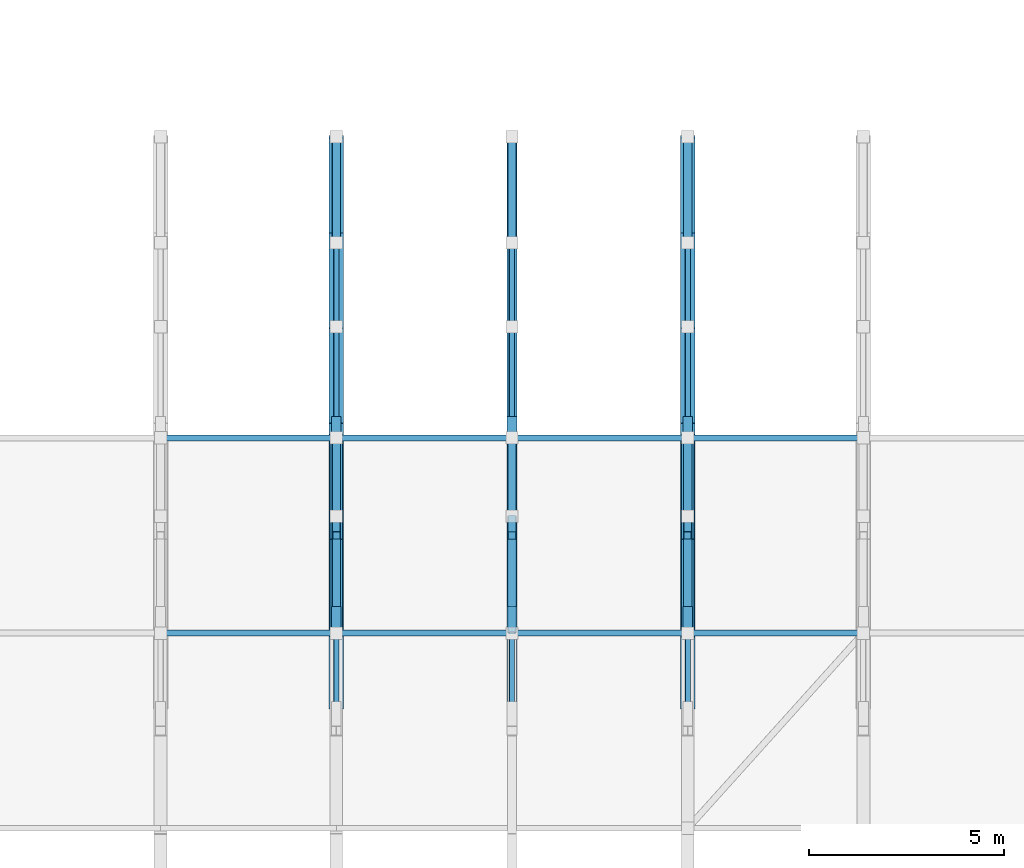
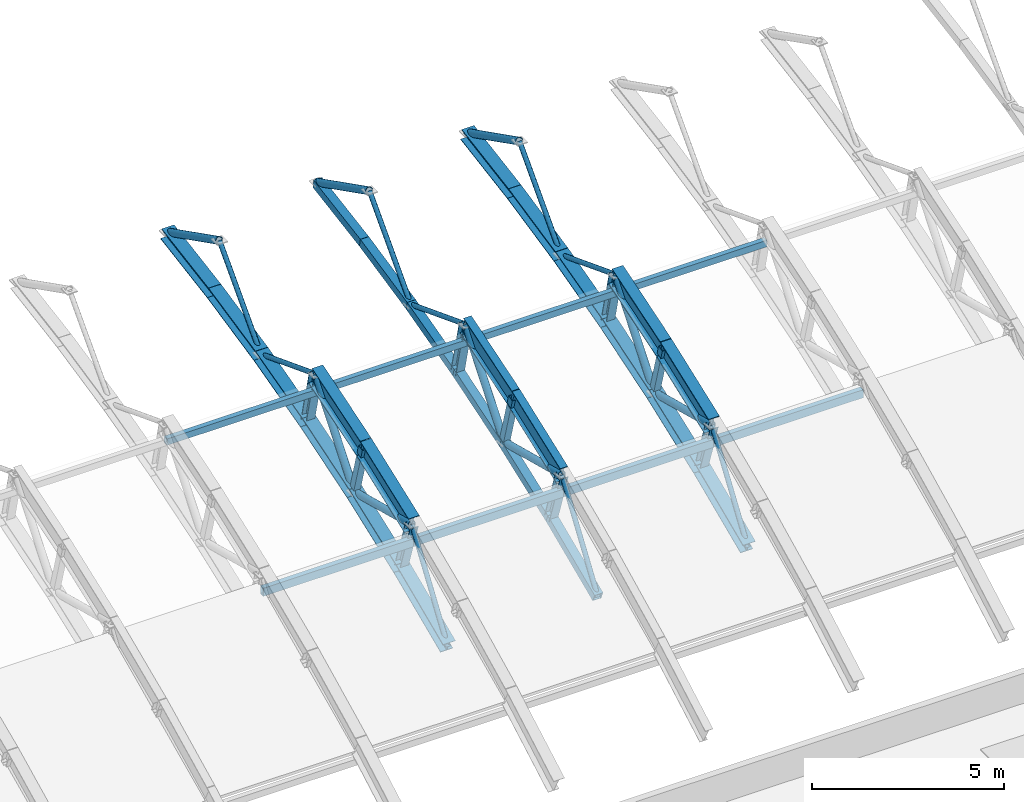
# One storey, part 65 of 103: 53 members, 6 beams.
"""IFC4 building model written with IfcOpenShell, lengths in metres."""

from ifc_helpers import new_model, si_unit, direction, frame, origin, origin_2d, place, context, subcontext, project, spatial, hollow_rectangle, hollow_circle, i_section, extrude, material, material_profile, profile_set, type_object, element, save


model = new_model("IFC4")

# Units and contexts
model_context = context("Model", 3, precision=1e-05, world=origin(), true_north=direction((0.0, 1.0)))
body_context = subcontext(model_context, "Body", "Model", "MODEL_VIEW")
ifc_project = project(units=[si_unit("LENGTHUNIT", "METRE"), si_unit("AREAUNIT", "SQUARE_METRE"), si_unit("VOLUMEUNIT", "CUBIC_METRE"), si_unit("PLANEANGLEUNIT", "RADIAN"), si_unit("MASSUNIT", "GRAM", prefix="KILO")], contexts=[model_context])

# Site, building, storey
site_placement = place(None, origin())
site = spatial("IfcSite", under=ifc_project, at=site_placement, CompositionType="ELEMENT")
building_placement = place(site_placement, origin())
building = spatial("IfcBuilding", under=site, at=building_placement, Name="Cazmaro Siding Exhibition Halls", CompositionType="ELEMENT")
storey_placement = place(building_placement, frame((0.0, 0.0, 16.5)))
storey = spatial("IfcBuildingStorey", under=building, at=storey_placement, Name="L03", CompositionType="ELEMENT", Elevation=16.5)

# Beams
ifc_material_1 = material(Name="Steel ASTM A992 Grade 50", Category="steel")
ifc_material_profile_1 = material_profile(ifc_material_1, i_section(OverallWidth=0.327880859375, OverallDepth=0.626953125, WebThickness=0.01708984375, FlangeThickness=0.028076171875, at=origin_2d()), Name="W24X146")
ifc_profile_set_1 = profile_set([ifc_material_profile_1], Name="Steel ASTM A992 Grade 50")
beam_type_1 = type_object("IfcBeamType", Name="AR-01", PredefinedType="USERDEFINED", material=ifc_profile_set_1)
beam_1_placement = place(storey_placement, frame((139.5, 74.0, 3.1220703125), z_axis=(0.0, 0.936509460339, 0.350642311615), x_axis=(-1.0, 0.0, 0.0)))
element("IfcBeam", 1, at=beam_1_placement, inside=storey, type_object=beam_type_1, Name="Space frame barrel vault arched rib AR-01 BM-1043", ObjectType="ARCHED RIB", PredefinedType="USERDEFINED", context=body_context, shape_type="SweptSolid", body=[
    extrude(i_section(OverallWidth=0.327880859375, OverallDepth=0.626953125, WebThickness=0.01708984375, FlangeThickness=0.028076171875, at=origin_2d()), origin(), (0.0, 0.0, 1.0), 2.66943359375),
])
beam_2_placement = place(storey_placement, frame((139.5, 76.5, 4.05810546875), z_axis=(0.0, 0.952769241759, 0.303695195811), x_axis=(-1.0, 0.0, 0.0)))
element("IfcBeam", 2, at=beam_2_placement, inside=storey, type_object=beam_type_1, Name="Space frame barrel vault arched rib AR-01 BM-1044", ObjectType="ARCHED RIB", PredefinedType="USERDEFINED", context=body_context, shape_type="SweptSolid", body=[
    extrude(i_section(OverallWidth=0.327880859375, OverallDepth=0.626953125, WebThickness=0.01708984375, FlangeThickness=0.028076171875, at=origin_2d()), origin(), (0.0, 0.0, 1.0), 2.6240234375),
])
ifc_material_2 = material(Name="Steel ASTM A992 Grade 50", Category="steel")
ifc_material_profile_2 = material_profile(ifc_material_2, i_section(OverallWidth=0.324951171875, OverallDepth=0.612060546875, WebThickness=0.012939453125, FlangeThickness=0.01904296875, at=origin_2d()), Name="W24X104")
ifc_profile_set_2 = profile_set([ifc_material_profile_2], Name="Steel ASTM A992 Grade 50")
beam_type_2 = type_object("IfcBeamType", Name="AR-02", PredefinedType="USERDEFINED", material=ifc_profile_set_2)
beam_3_placement = place(storey_placement, frame((130.5, 74.0, 3.1220703125), z_axis=(0.0, 0.936509460339, 0.350642311615), x_axis=(-1.0, 0.0, 0.0)))
element("IfcBeam", 3, at=beam_3_placement, inside=storey, type_object=beam_type_2, Name="Space frame barrel vault arched rib AR-02 BM-0995", ObjectType="ARCHED RIB", PredefinedType="USERDEFINED", context=body_context, shape_type="SweptSolid", body=[
    extrude(i_section(OverallWidth=0.324951171875, OverallDepth=0.612060546875, WebThickness=0.012939453125, FlangeThickness=0.01904296875, at=origin_2d()), origin(), (0.0, 0.0, 1.0), 2.66943359375),
])
beam_4_placement = place(storey_placement, frame((130.5, 76.5, 4.05810546875), z_axis=(0.0, 0.952769241759, 0.303695195811), x_axis=(-1.0, 0.0, 0.0)))
element("IfcBeam", 4, at=beam_4_placement, inside=storey, type_object=beam_type_2, Name="Space frame barrel vault arched rib AR-02 BM-0996", ObjectType="ARCHED RIB", PredefinedType="USERDEFINED", context=body_context, shape_type="SweptSolid", body=[
    extrude(i_section(OverallWidth=0.324951171875, OverallDepth=0.612060546875, WebThickness=0.012939453125, FlangeThickness=0.01904296875, at=origin_2d()), origin(), (0.0, 0.0, 1.0), 2.6240234375),
])
ifc_material_3 = material(Name="Steel ASTM A992 Grade 50", Category="steel")
ifc_material_profile_3 = material_profile(ifc_material_3, i_section(OverallWidth=0.22900390625, OverallDepth=0.612060546875, WebThickness=0.011962890625, FlangeThickness=0.02001953125, at=origin_2d()), Name="W24X84")
ifc_profile_set_3 = profile_set([ifc_material_profile_3], Name="Steel ASTM A992 Grade 50")
beam_type_3 = type_object("IfcBeamType", Name="AR-03", PredefinedType="USERDEFINED", material=ifc_profile_set_3)
beam_5_placement = place(storey_placement, frame((135.0, 74.0, 3.1220703125), z_axis=(0.0, 0.936509460339, 0.350642311615), x_axis=(-1.0, 0.0, 0.0)))
element("IfcBeam", 5, at=beam_5_placement, inside=storey, type_object=beam_type_3, Name="Space frame barrel vault arched rib AR-03 BM-1019", ObjectType="ARCHED RIB", PredefinedType="USERDEFINED", context=body_context, shape_type="SweptSolid", body=[
    extrude(i_section(OverallWidth=0.22900390625, OverallDepth=0.612060546875, WebThickness=0.011962890625, FlangeThickness=0.02001953125, at=origin_2d()), origin(), (0.0, 0.0, 1.0), 2.66943359375),
])
beam_6_placement = place(storey_placement, frame((135.0, 76.5, 4.05810546875), z_axis=(0.0, 0.952769241759, 0.303695195811), x_axis=(-1.0, 0.0, 0.0)))
element("IfcBeam", 6, at=beam_6_placement, inside=storey, type_object=beam_type_3, Name="Space frame barrel vault arched rib AR-03 BM-1020", ObjectType="ARCHED RIB", PredefinedType="USERDEFINED", context=body_context, shape_type="SweptSolid", body=[
    extrude(i_section(OverallWidth=0.22900390625, OverallDepth=0.612060546875, WebThickness=0.011962890625, FlangeThickness=0.02001953125, at=origin_2d()), origin(), (0.0, 0.0, 1.0), 2.6240234375),
])

# Members
ifc_material_4 = material(Name="Steel ASTM A500 Grade C", Category="steel")
ifc_material_profile_4 = material_profile(ifc_material_4, hollow_rectangle(XDim=0.152099609375, YDim=0.202880859375, WallThickness=0.011962890625, at=origin_2d()), Name="HSS8X6X1/2")
ifc_profile_set_4 = profile_set([ifc_material_profile_4], Name="Steel ASTM A500 Grade C")
member_type_1 = type_object("IfcMemberType", Name="RP-01", PredefinedType="PURLIN", material=ifc_profile_set_4)
for number, where, z_axis, x_axis, name in (
    (7, (126.0, 79.0, 4.31494140625), (1.0, 0.0, 0.0), (0.0, 1.0, 0.0), "Space frame barrel vault purlin RP-01 MEM-2182"),
    (8, (130.5, 79.0, 4.31494140625), (1.0, 0.0, 0.0), (0.0, 1.0, 0.0), "Space frame barrel vault purlin RP-01 MEM-2193"),
    (9, (135.0, 79.0, 4.31494140625), (1.0, 0.0, 0.0), (0.0, 1.0, 0.0), "Space frame barrel vault purlin RP-01 MEM-2204"),
    (10, (139.5, 79.0, 4.31494140625), (1.0, 0.0, 0.0), (0.0, 1.0, 0.0), "Space frame barrel vault purlin RP-01 MEM-2215"),
):
    element("IfcMember", number, at=place(storey_placement, frame(where, z_axis=z_axis, x_axis=x_axis)), inside=storey, type_object=member_type_1, Name=name, PredefinedType="PURLIN", context=body_context, shape_type="SweptSolid", body=[
        extrude(hollow_rectangle(XDim=0.152099609375, YDim=0.202880859375, WallThickness=0.011962890625, at=origin_2d()), origin(), (0.0, 0.0, 1.0), 4.5),
    ])
ifc_material_5 = material(Name="Steel ASTM A500 Grade C", Category="steel")
ifc_material_profile_5 = material_profile(ifc_material_5, hollow_rectangle(XDim=0.152099609375, YDim=0.25390625, WallThickness=0.011962890625, at=origin_2d()), Name="HSS10X6X1/2")
ifc_profile_set_5 = profile_set([ifc_material_profile_5], Name="Steel ASTM A500 Grade C")
member_type_2 = type_object("IfcMemberType", Name="RP-04", PredefinedType="PURLIN", material=ifc_profile_set_5)
for number, where, z_axis, x_axis, name in (
    (11, (126.0, 74.0, 2.58203125), (1.0, 0.0, 0.0), (0.0, 1.0, 0.0), "Space frame barrel vault purlin RP-04 MEM-2181"),
    (12, (130.5, 74.0, 2.58203125), (1.0, 0.0, 0.0), (0.0, 1.0, 0.0), "Space frame barrel vault purlin RP-04 MEM-2192"),
    (13, (135.0, 74.0, 2.58203125), (1.0, 0.0, 0.0), (0.0, 1.0, 0.0), "Space frame barrel vault purlin RP-04 MEM-2203"),
    (14, (139.5, 74.0, 2.58203125), (1.0, 0.0, 0.0), (0.0, 1.0, 0.0), "Space frame barrel vault purlin RP-04 MEM-2214"),
):
    element("IfcMember", number, at=place(storey_placement, frame(where, z_axis=z_axis, x_axis=x_axis)), inside=storey, type_object=member_type_2, Name=name, PredefinedType="PURLIN", context=body_context, shape_type="SweptSolid", body=[
        extrude(hollow_rectangle(XDim=0.152099609375, YDim=0.25390625, WallThickness=0.011962890625, at=origin_2d()), origin(), (0.0, 0.0, 1.0), 4.5),
    ])
ifc_material_6 = material(Name="Steel ASTM A500 Grade C", Category="steel")
ifc_material_profile_6 = material_profile(ifc_material_6, hollow_rectangle(XDim=0.25390625, YDim=0.25390625, WallThickness=0.014892578125, at=origin_2d()), Name="HSS10X10X5/8")
ifc_profile_set_6 = profile_set([ifc_material_profile_6], Name="Steel ASTM A500 Grade C")
member_type_3 = type_object("IfcMemberType", Name="TC-01", PredefinedType="CHORD", material=ifc_profile_set_6)
member_1_placement = place(storey_placement, frame((135.0, 72.131103515625, 0.37890625), z_axis=(0.0, 0.917689003843, 0.397299499403), x_axis=(-1.0, 0.0, 0.0)))
element("IfcMember", 15, at=member_1_placement, inside=storey, type_object=member_type_3, Name="Space frame barrel vault bottom chord TC-01 MEM-1379", PredefinedType="CHORD", context=body_context, shape_type="SweptSolid", body=[
    extrude(hollow_rectangle(XDim=0.25390625, YDim=0.25390625, WallThickness=0.014892578125, at=origin_2d()), origin(), (0.0, 0.0, 1.0), 2.64794921875),
])
member_2_placement = place(storey_placement, frame((135.0, 74.56103515625, 1.430908203125), z_axis=(0.0, 0.936588022869, 0.350432412053), x_axis=(-1.0, 0.0, 0.0)))
element("IfcMember", 16, at=member_2_placement, inside=storey, type_object=member_type_3, Name="Space frame barrel vault bottom chord TC-01 MEM-1381", PredefinedType="CHORD", context=body_context, shape_type="SweptSolid", body=[
    extrude(hollow_rectangle(XDim=0.25390625, YDim=0.25390625, WallThickness=0.014892578125, at=origin_2d()), origin(), (0.0, 0.0, 1.0), 2.594482421875),
])
member_3_placement = place(storey_placement, frame((135.0, 76.990966796875, 2.340087890625), z_axis=(0.0, 0.952692842525, 0.303934775573), x_axis=(-1.0, 0.0, 0.0)))
element("IfcMember", 17, at=member_3_placement, inside=storey, type_object=member_type_3, Name="Space frame barrel vault bottom chord TC-01 MEM-1383", PredefinedType="CHORD", context=body_context, shape_type="SweptSolid", body=[
    extrude(hollow_rectangle(XDim=0.25390625, YDim=0.25390625, WallThickness=0.014892578125, at=origin_2d()), origin(), (0.0, 0.0, 1.0), 2.549560546875),
])
member_4_placement = place(storey_placement, frame((135.0, 79.419921875, 3.114990234375), z_axis=(0.0, 0.966437683387, 0.256901156343), x_axis=(-1.0, 0.0, 0.0)))
element("IfcMember", 18, at=member_4_placement, inside=storey, type_object=member_type_3, Name="Space frame barrel vault bottom chord TC-01 MEM-1385", PredefinedType="CHORD", context=body_context, shape_type="SweptSolid", body=[
    extrude(hollow_rectangle(XDim=0.25390625, YDim=0.25390625, WallThickness=0.014892578125, at=origin_2d()), origin(), (0.0, 0.0, 1.0), 2.5146484375),
])
member_5_placement = place(storey_placement, frame((135.0, 81.85009765625, 3.760986328125), z_axis=(0.0, 0.977697351532, 0.210018782033), x_axis=(-1.0, 0.0, 0.0)))
element("IfcMember", 19, at=member_5_placement, inside=storey, type_object=member_type_3, Name="Space frame barrel vault bottom chord TC-01 MEM-1387", PredefinedType="CHORD", context=body_context, shape_type="SweptSolid", body=[
    extrude(hollow_rectangle(XDim=0.25390625, YDim=0.25390625, WallThickness=0.014892578125, at=origin_2d()), origin(), (0.0, 0.0, 1.0), 2.4853515625),
])
member_6_placement = place(storey_placement, frame((135.0, 84.280029296875, 4.282958984375), z_axis=(0.0, 0.986455464336, 0.164029317138), x_axis=(-1.0, 0.0, 0.0)))
element("IfcMember", 20, at=member_6_placement, inside=storey, type_object=member_type_3, Name="Space frame barrel vault bottom chord TC-01 MEM-1389", PredefinedType="CHORD", context=body_context, shape_type="SweptSolid", body=[
    extrude(hollow_rectangle(XDim=0.25390625, YDim=0.25390625, WallThickness=0.014892578125, at=origin_2d()), origin(), (0.0, 0.0, 1.0), 2.46337890625),
])
ifc_material_7 = material(Name="Steel ASTM A992 Grade 50", Category="steel")
ifc_material_profile_7 = material_profile(ifc_material_7, i_section(OverallWidth=0.37109375, OverallDepth=0.364013671875, WebThickness=0.012939453125, FlangeThickness=0.02197265625, at=origin_2d()), Name="W14X109")
ifc_profile_set_7 = profile_set([ifc_material_profile_7], Name="Steel ASTM A992 Grade 50")
member_type_4 = type_object("IfcMemberType", Name="TC-06", PredefinedType="CHORD", material=ifc_profile_set_7)
member_7_placement = place(storey_placement, frame((130.5, 72.131103515625, 0.37890625), z_axis=(0.0, 0.917689003843, 0.397299499403), x_axis=(-1.0, 0.0, 0.0)))
element("IfcMember", 21, at=member_7_placement, inside=storey, type_object=member_type_4, Name="Space frame barrel vault bottom chord TC-06 MEM-1308", PredefinedType="CHORD", context=body_context, shape_type="SweptSolid", body=[
    extrude(i_section(OverallWidth=0.37109375, OverallDepth=0.364013671875, WebThickness=0.012939453125, FlangeThickness=0.02197265625, at=origin_2d()), origin(), (0.0, 0.0, 1.0), 2.64794921875),
])
member_8_placement = place(storey_placement, frame((130.5, 74.56103515625, 1.430908203125), z_axis=(0.0, 0.936588022869, 0.350432412053), x_axis=(-1.0, 0.0, 0.0)))
element("IfcMember", 22, at=member_8_placement, inside=storey, type_object=member_type_4, Name="Space frame barrel vault bottom chord TC-06 MEM-1310", PredefinedType="CHORD", context=body_context, shape_type="SweptSolid", body=[
    extrude(i_section(OverallWidth=0.37109375, OverallDepth=0.364013671875, WebThickness=0.012939453125, FlangeThickness=0.02197265625, at=origin_2d()), origin(), (0.0, 0.0, 1.0), 2.594482421875),
])
member_9_placement = place(storey_placement, frame((130.5, 76.990966796875, 2.340087890625), z_axis=(0.0, 0.952692842525, 0.303934775573), x_axis=(-1.0, 0.0, 0.0)))
element("IfcMember", 23, at=member_9_placement, inside=storey, type_object=member_type_4, Name="Space frame barrel vault bottom chord TC-06 MEM-1312", PredefinedType="CHORD", context=body_context, shape_type="SweptSolid", body=[
    extrude(i_section(OverallWidth=0.37109375, OverallDepth=0.364013671875, WebThickness=0.012939453125, FlangeThickness=0.02197265625, at=origin_2d()), origin(), (0.0, 0.0, 1.0), 2.549560546875),
])
member_10_placement = place(storey_placement, frame((130.5, 79.419921875, 3.114990234375), z_axis=(0.0, 0.966437683387, 0.256901156343), x_axis=(-1.0, 0.0, 0.0)))
element("IfcMember", 24, at=member_10_placement, inside=storey, type_object=member_type_4, Name="Space frame barrel vault bottom chord TC-06 MEM-1314", PredefinedType="CHORD", context=body_context, shape_type="SweptSolid", body=[
    extrude(i_section(OverallWidth=0.37109375, OverallDepth=0.364013671875, WebThickness=0.012939453125, FlangeThickness=0.02197265625, at=origin_2d()), origin(), (0.0, 0.0, 1.0), 2.5146484375),
])
member_11_placement = place(storey_placement, frame((130.5, 81.85009765625, 3.760986328125), z_axis=(0.0, 0.977697351532, 0.210018782033), x_axis=(-1.0, 0.0, 0.0)))
element("IfcMember", 25, at=member_11_placement, inside=storey, type_object=member_type_4, Name="Space frame barrel vault bottom chord TC-06 MEM-1316", PredefinedType="CHORD", context=body_context, shape_type="SweptSolid", body=[
    extrude(i_section(OverallWidth=0.37109375, OverallDepth=0.364013671875, WebThickness=0.012939453125, FlangeThickness=0.02197265625, at=origin_2d()), origin(), (0.0, 0.0, 1.0), 2.4853515625),
])
member_12_placement = place(storey_placement, frame((130.5, 84.280029296875, 4.282958984375), z_axis=(0.0, 0.986455464336, 0.164029317138), x_axis=(-1.0, 0.0, 0.0)))
element("IfcMember", 26, at=member_12_placement, inside=storey, type_object=member_type_4, Name="Space frame barrel vault bottom chord TC-06 MEM-1318", PredefinedType="CHORD", context=body_context, shape_type="SweptSolid", body=[
    extrude(i_section(OverallWidth=0.37109375, OverallDepth=0.364013671875, WebThickness=0.012939453125, FlangeThickness=0.02197265625, at=origin_2d()), origin(), (0.0, 0.0, 1.0), 2.46337890625),
])
member_13_placement = place(storey_placement, frame((139.5, 72.131103515625, 0.37890625), z_axis=(0.0, 0.917689003843, 0.397299499403), x_axis=(-1.0, 0.0, 0.0)))
element("IfcMember", 27, at=member_13_placement, inside=storey, type_object=member_type_4, Name="Space frame barrel vault bottom chord TC-06 MEM-1450", PredefinedType="CHORD", context=body_context, shape_type="SweptSolid", body=[
    extrude(i_section(OverallWidth=0.37109375, OverallDepth=0.364013671875, WebThickness=0.012939453125, FlangeThickness=0.02197265625, at=origin_2d()), origin(), (0.0, 0.0, 1.0), 2.64794921875),
])
member_14_placement = place(storey_placement, frame((139.5, 74.56103515625, 1.430908203125), z_axis=(0.0, 0.936588022869, 0.350432412053), x_axis=(-1.0, 0.0, 0.0)))
element("IfcMember", 28, at=member_14_placement, inside=storey, type_object=member_type_4, Name="Space frame barrel vault bottom chord TC-06 MEM-1452", PredefinedType="CHORD", context=body_context, shape_type="SweptSolid", body=[
    extrude(i_section(OverallWidth=0.37109375, OverallDepth=0.364013671875, WebThickness=0.012939453125, FlangeThickness=0.02197265625, at=origin_2d()), origin(), (0.0, 0.0, 1.0), 2.594482421875),
])
member_15_placement = place(storey_placement, frame((139.5, 76.990966796875, 2.340087890625), z_axis=(0.0, 0.952692842525, 0.303934775573), x_axis=(-1.0, 0.0, 0.0)))
element("IfcMember", 29, at=member_15_placement, inside=storey, type_object=member_type_4, Name="Space frame barrel vault bottom chord TC-06 MEM-1454", PredefinedType="CHORD", context=body_context, shape_type="SweptSolid", body=[
    extrude(i_section(OverallWidth=0.37109375, OverallDepth=0.364013671875, WebThickness=0.012939453125, FlangeThickness=0.02197265625, at=origin_2d()), origin(), (0.0, 0.0, 1.0), 2.549560546875),
])
member_16_placement = place(storey_placement, frame((139.5, 79.419921875, 3.114990234375), z_axis=(0.0, 0.966437683387, 0.256901156343), x_axis=(-1.0, 0.0, 0.0)))
element("IfcMember", 30, at=member_16_placement, inside=storey, type_object=member_type_4, Name="Space frame barrel vault bottom chord TC-06 MEM-1456", PredefinedType="CHORD", context=body_context, shape_type="SweptSolid", body=[
    extrude(i_section(OverallWidth=0.37109375, OverallDepth=0.364013671875, WebThickness=0.012939453125, FlangeThickness=0.02197265625, at=origin_2d()), origin(), (0.0, 0.0, 1.0), 2.5146484375),
])
member_17_placement = place(storey_placement, frame((139.5, 81.85009765625, 3.760986328125), z_axis=(0.0, 0.977697351532, 0.210018782033), x_axis=(-1.0, 0.0, 0.0)))
element("IfcMember", 31, at=member_17_placement, inside=storey, type_object=member_type_4, Name="Space frame barrel vault bottom chord TC-06 MEM-1458", PredefinedType="CHORD", context=body_context, shape_type="SweptSolid", body=[
    extrude(i_section(OverallWidth=0.37109375, OverallDepth=0.364013671875, WebThickness=0.012939453125, FlangeThickness=0.02197265625, at=origin_2d()), origin(), (0.0, 0.0, 1.0), 2.4853515625),
])
member_18_placement = place(storey_placement, frame((139.5, 84.280029296875, 4.282958984375), z_axis=(0.0, 0.986455464336, 0.164029317138), x_axis=(-1.0, 0.0, 0.0)))
element("IfcMember", 32, at=member_18_placement, inside=storey, type_object=member_type_4, Name="Space frame barrel vault bottom chord TC-06 MEM-1460", PredefinedType="CHORD", context=body_context, shape_type="SweptSolid", body=[
    extrude(i_section(OverallWidth=0.37109375, OverallDepth=0.364013671875, WebThickness=0.012939453125, FlangeThickness=0.02197265625, at=origin_2d()), origin(), (0.0, 0.0, 1.0), 2.46337890625),
])
ifc_material_8 = material(Name="Steel ASTM A500 Grade C", Category="steel")
ifc_material_profile_8 = material_profile(ifc_material_8, hollow_rectangle(XDim=0.202880859375, YDim=0.202880859375, WallThickness=0.011962890625, at=origin_2d()), Name="HSS8X8X1/2")
ifc_profile_set_8 = profile_set([ifc_material_profile_8], Name="Steel ASTM A500 Grade C")
member_type_5 = type_object("IfcMemberType", Name="TP-01", PredefinedType="POST", material=ifc_profile_set_8)
for number, where, z_axis, x_axis, name in (
    (33, (130.5, 76.990966796875, 2.340087890625), (0.0, -0.274775266308, 0.961508477875), (1.0, 0.0, 0.0), "Space frame barrel vault post TP-01 MEM-1354"),
    (34, (135.0, 76.990966796875, 2.340087890625), (0.0, -0.274775266308, 0.961508477875), (1.0, 0.0, 0.0), "Space frame barrel vault post TP-01 MEM-1425"),
    (35, (139.5, 76.990966796875, 2.340087890625), (0.0, -0.274775266308, 0.961508477875), (1.0, 0.0, 0.0), "Space frame barrel vault post TP-01 MEM-1496"),
):
    element("IfcMember", number, at=place(storey_placement, frame(where, z_axis=z_axis, x_axis=x_axis)), inside=storey, type_object=member_type_5, Name=name, PredefinedType="POST", context=body_context, shape_type="SweptSolid", body=[
        extrude(hollow_rectangle(XDim=0.202880859375, YDim=0.202880859375, WallThickness=0.011962890625, at=origin_2d()), origin(), (0.0, 0.0, 1.0), 1.786865234375),
    ])
ifc_material_9 = material(Name="Steel ASTM A992 Grade 50", Category="steel")
ifc_material_profile_9 = material_profile(ifc_material_9, i_section(OverallWidth=0.25390625, OverallDepth=0.25390625, WebThickness=0.009033203125, FlangeThickness=0.013916015625, at=origin_2d()), Name="W10X49")
ifc_profile_set_9 = profile_set([ifc_material_profile_9], Name="Steel ASTM A992 Grade 50")
member_type_6 = type_object("IfcMemberType", Name="TP-04", PredefinedType="POST", material=ifc_profile_set_9)
member_19_placement = place(storey_placement, frame((130.5, 74.56103515625, 1.430908203125), z_axis=(0.0, -0.314870949103, 0.949134492794), x_axis=(1.0, 0.0, 0.0)))
element("IfcMember", 36, at=member_19_placement, inside=storey, type_object=member_type_6, Name="Space frame barrel vault post TP-04 MEM-1353", PredefinedType="POST", context=body_context, shape_type="SweptSolid", body=[
    extrude(i_section(OverallWidth=0.25390625, OverallDepth=0.25390625, WebThickness=0.009033203125, FlangeThickness=0.013916015625, at=origin_2d()), origin(), (0.0, 0.0, 1.0), 1.78173828125),
])
member_20_placement = place(storey_placement, frame((130.5, 79.419921875, 3.114990234375), z_axis=(0.0, -0.234600533729, 0.972091862724), x_axis=(1.0, 0.0, 0.0)))
element("IfcMember", 37, at=member_20_placement, inside=storey, type_object=member_type_6, Name="Space frame barrel vault post TP-04 MEM-1355", PredefinedType="POST", context=body_context, shape_type="SweptSolid", body=[
    extrude(i_section(OverallWidth=0.25390625, OverallDepth=0.25390625, WebThickness=0.009033203125, FlangeThickness=0.013916015625, at=origin_2d()), origin(), (0.0, 0.0, 1.0), 1.7900390625),
])
member_21_placement = place(storey_placement, frame((135.0, 74.56103515625, 1.430908203125), z_axis=(0.0, -0.314870949103, 0.949134492794), x_axis=(1.0, 0.0, 0.0)))
element("IfcMember", 38, at=member_21_placement, inside=storey, type_object=member_type_6, Name="Space frame barrel vault post TP-04 MEM-1424", PredefinedType="POST", context=body_context, shape_type="SweptSolid", body=[
    extrude(i_section(OverallWidth=0.25390625, OverallDepth=0.25390625, WebThickness=0.009033203125, FlangeThickness=0.013916015625, at=origin_2d()), origin(), (0.0, 0.0, 1.0), 1.78173828125),
])
member_22_placement = place(storey_placement, frame((135.0, 79.419921875, 3.114990234375), z_axis=(0.0, -0.234600533729, 0.972091862724), x_axis=(1.0, 0.0, 0.0)))
element("IfcMember", 39, at=member_22_placement, inside=storey, type_object=member_type_6, Name="Space frame barrel vault post TP-04 MEM-1426", PredefinedType="POST", context=body_context, shape_type="SweptSolid", body=[
    extrude(i_section(OverallWidth=0.25390625, OverallDepth=0.25390625, WebThickness=0.009033203125, FlangeThickness=0.013916015625, at=origin_2d()), origin(), (0.0, 0.0, 1.0), 1.7900390625),
])
member_23_placement = place(storey_placement, frame((139.5, 74.56103515625, 1.430908203125), z_axis=(0.0, -0.314870949103, 0.949134492794), x_axis=(1.0, 0.0, 0.0)))
element("IfcMember", 40, at=member_23_placement, inside=storey, type_object=member_type_6, Name="Space frame barrel vault post TP-04 MEM-1495", PredefinedType="POST", context=body_context, shape_type="SweptSolid", body=[
    extrude(i_section(OverallWidth=0.25390625, OverallDepth=0.25390625, WebThickness=0.009033203125, FlangeThickness=0.013916015625, at=origin_2d()), origin(), (0.0, 0.0, 1.0), 1.78173828125),
])
member_24_placement = place(storey_placement, frame((139.5, 79.419921875, 3.114990234375), z_axis=(0.0, -0.234600533729, 0.972091862724), x_axis=(1.0, 0.0, 0.0)))
element("IfcMember", 41, at=member_24_placement, inside=storey, type_object=member_type_6, Name="Space frame barrel vault post TP-04 MEM-1497", PredefinedType="POST", context=body_context, shape_type="SweptSolid", body=[
    extrude(i_section(OverallWidth=0.25390625, OverallDepth=0.25390625, WebThickness=0.009033203125, FlangeThickness=0.013916015625, at=origin_2d()), origin(), (0.0, 0.0, 1.0), 1.7900390625),
])
ifc_material_10 = material(Name="Steel ASTM A500 Grade C", Category="steel")
ifc_material_profile_10 = material_profile(ifc_material_10, hollow_circle(Radius=0.109619140625, WallThickness=0.012939453125, at=origin_2d()), Name="PIPE8XS")
ifc_profile_set_10 = profile_set([ifc_material_profile_10], Name="Steel ASTM A500 Grade C")
member_type_7 = type_object("IfcMemberType", Name="WB-01", PredefinedType="BRACE", material=ifc_profile_set_10)
member_25_placement = place(storey_placement, frame((130.5, 74.0, 3.1220703125), z_axis=(0.0, 0.967480432857, -0.252945867802), x_axis=(-1.0, 0.0, 0.0)))
element("IfcMember", 42, at=member_25_placement, inside=storey, type_object=member_type_7, Name="Space frame barrel vault diagonal WB-01 MEM-1311", PredefinedType="BRACE", context=body_context, shape_type="SweptSolid", body=[
    extrude(hollow_circle(Radius=0.109619140625, WallThickness=0.012939453125, at=origin_2d()), origin(), (0.0, 0.0, 1.0), 3.091552734375),
])
member_26_placement = place(storey_placement, frame((130.5, 76.990966796875, 2.340087890625), z_axis=(0.0, 0.624149162907, 0.781305204412), x_axis=(-1.0, 0.0, 0.0)))
element("IfcMember", 43, at=member_26_placement, inside=storey, type_object=member_type_7, Name="Space frame barrel vault diagonal WB-01 MEM-1313", PredefinedType="BRACE", context=body_context, shape_type="SweptSolid", body=[
    extrude(hollow_circle(Radius=0.109619140625, WallThickness=0.012939453125, at=origin_2d()), origin(), (0.0, 0.0, 1.0), 3.21875),
])
member_27_placement = place(storey_placement, frame((130.5, 84.0, 6.056884765625), z_axis=(0.0, 0.892456788218, -0.451132886369), x_axis=(-1.0, 0.0, 0.0)))
element("IfcMember", 44, at=member_27_placement, inside=storey, type_object=member_type_7, Name="Space frame barrel vault diagonal WB-01 MEM-1319", PredefinedType="BRACE", context=body_context, shape_type="SweptSolid", body=[
    extrude(hollow_circle(Radius=0.109619140625, WallThickness=0.012939453125, at=origin_2d()), origin(), (0.0, 0.0, 1.0), 3.03662109375),
])
member_28_placement = place(storey_placement, frame((135.0, 74.0, 3.1220703125), z_axis=(0.0, 0.967480432857, -0.252945867802), x_axis=(-1.0, 0.0, 0.0)))
element("IfcMember", 45, at=member_28_placement, inside=storey, type_object=member_type_7, Name="Space frame barrel vault diagonal WB-01 MEM-1382", PredefinedType="BRACE", context=body_context, shape_type="SweptSolid", body=[
    extrude(hollow_circle(Radius=0.109619140625, WallThickness=0.012939453125, at=origin_2d()), origin(), (0.0, 0.0, 1.0), 3.091552734375),
])
member_29_placement = place(storey_placement, frame((135.0, 76.990966796875, 2.340087890625), z_axis=(0.0, 0.624149162907, 0.781305204412), x_axis=(-1.0, 0.0, 0.0)))
element("IfcMember", 46, at=member_29_placement, inside=storey, type_object=member_type_7, Name="Space frame barrel vault diagonal WB-01 MEM-1384", PredefinedType="BRACE", context=body_context, shape_type="SweptSolid", body=[
    extrude(hollow_circle(Radius=0.109619140625, WallThickness=0.012939453125, at=origin_2d()), origin(), (0.0, 0.0, 1.0), 3.21875),
])
member_30_placement = place(storey_placement, frame((135.0, 84.0, 6.056884765625), z_axis=(0.0, 0.892456788218, -0.451132886369), x_axis=(-1.0, 0.0, 0.0)))
element("IfcMember", 47, at=member_30_placement, inside=storey, type_object=member_type_7, Name="Space frame barrel vault diagonal WB-01 MEM-1390", PredefinedType="BRACE", context=body_context, shape_type="SweptSolid", body=[
    extrude(hollow_circle(Radius=0.109619140625, WallThickness=0.012939453125, at=origin_2d()), origin(), (0.0, 0.0, 1.0), 3.03662109375),
])
member_31_placement = place(storey_placement, frame((139.5, 74.0, 3.1220703125), z_axis=(0.0, 0.967480432857, -0.252945867802), x_axis=(-1.0, 0.0, 0.0)))
element("IfcMember", 48, at=member_31_placement, inside=storey, type_object=member_type_7, Name="Space frame barrel vault diagonal WB-01 MEM-1453", PredefinedType="BRACE", context=body_context, shape_type="SweptSolid", body=[
    extrude(hollow_circle(Radius=0.109619140625, WallThickness=0.012939453125, at=origin_2d()), origin(), (0.0, 0.0, 1.0), 3.091552734375),
])
member_32_placement = place(storey_placement, frame((139.5, 76.990966796875, 2.340087890625), z_axis=(0.0, 0.624149162907, 0.781305204412), x_axis=(-1.0, 0.0, 0.0)))
element("IfcMember", 49, at=member_32_placement, inside=storey, type_object=member_type_7, Name="Space frame barrel vault diagonal WB-01 MEM-1455", PredefinedType="BRACE", context=body_context, shape_type="SweptSolid", body=[
    extrude(hollow_circle(Radius=0.109619140625, WallThickness=0.012939453125, at=origin_2d()), origin(), (0.0, 0.0, 1.0), 3.21875),
])
member_33_placement = place(storey_placement, frame((139.5, 84.0, 6.056884765625), z_axis=(0.0, 0.892456788218, -0.451132886369), x_axis=(-1.0, 0.0, 0.0)))
element("IfcMember", 50, at=member_33_placement, inside=storey, type_object=member_type_7, Name="Space frame barrel vault diagonal WB-01 MEM-1461", PredefinedType="BRACE", context=body_context, shape_type="SweptSolid", body=[
    extrude(hollow_circle(Radius=0.109619140625, WallThickness=0.012939453125, at=origin_2d()), origin(), (0.0, 0.0, 1.0), 3.03662109375),
])
ifc_material_11 = material(Name="Steel ASTM A500 Grade C", Category="steel")
ifc_material_profile_11 = material_profile(ifc_material_11, hollow_circle(Radius=0.070556640625, WallThickness=0.01904296875, at=origin_2d()), Name="PIPE5XXS")
ifc_profile_set_11 = profile_set([ifc_material_profile_11], Name="Steel ASTM A500 Grade C")
member_type_8 = type_object("IfcMemberType", Name="WB-07", PredefinedType="BRACE", material=ifc_profile_set_11)
member_34_placement = place(storey_placement, frame((130.5, 72.131103515625, 0.37890625), z_axis=(0.0, 0.563040090795, 0.826429583302), x_axis=(-1.0, 0.0, 0.0)))
element("IfcMember", 51, at=member_34_placement, inside=storey, type_object=member_type_8, Name="Space frame barrel vault diagonal WB-07 MEM-1309", PredefinedType="BRACE", context=body_context, shape_type="SweptSolid", body=[
    extrude(hollow_circle(Radius=0.070556640625, WallThickness=0.01904296875, at=origin_2d()), origin(), (0.0, 0.0, 1.0), 3.3193359375),
])
member_35_placement = place(storey_placement, frame((130.5, 79.0, 4.85498046875), z_axis=(0.0, 0.933586546586, -0.358352005761), x_axis=(-1.0, 0.0, 0.0)))
element("IfcMember", 52, at=member_35_placement, inside=storey, type_object=member_type_8, Name="Space frame barrel vault diagonal WB-07 MEM-1315", PredefinedType="BRACE", context=body_context, shape_type="SweptSolid", body=[
    extrude(hollow_circle(Radius=0.070556640625, WallThickness=0.01904296875, at=origin_2d()), origin(), (0.0, 0.0, 1.0), 3.052734375),
])
member_36_placement = place(storey_placement, frame((130.5, 81.85009765625, 3.760986328125), z_axis=(0.0, 0.683517575744, 0.729934054315), x_axis=(-1.0, 0.0, 0.0)))
element("IfcMember", 53, at=member_36_placement, inside=storey, type_object=member_type_8, Name="Space frame barrel vault diagonal WB-07 MEM-1317", PredefinedType="BRACE", context=body_context, shape_type="SweptSolid", body=[
    extrude(hollow_circle(Radius=0.070556640625, WallThickness=0.01904296875, at=origin_2d()), origin(), (0.0, 0.0, 1.0), 3.145263671875),
])
member_37_placement = place(storey_placement, frame((135.0, 72.131103515625, 0.37890625), z_axis=(0.0, 0.563040090795, 0.826429583302), x_axis=(-1.0, 0.0, 0.0)))
element("IfcMember", 54, at=member_37_placement, inside=storey, type_object=member_type_8, Name="Space frame barrel vault diagonal WB-07 MEM-1380", PredefinedType="BRACE", context=body_context, shape_type="SweptSolid", body=[
    extrude(hollow_circle(Radius=0.070556640625, WallThickness=0.01904296875, at=origin_2d()), origin(), (0.0, 0.0, 1.0), 3.3193359375),
])
member_38_placement = place(storey_placement, frame((135.0, 79.0, 4.85498046875), z_axis=(0.0, 0.933586546586, -0.358352005761), x_axis=(-1.0, 0.0, 0.0)))
element("IfcMember", 55, at=member_38_placement, inside=storey, type_object=member_type_8, Name="Space frame barrel vault diagonal WB-07 MEM-1386", PredefinedType="BRACE", context=body_context, shape_type="SweptSolid", body=[
    extrude(hollow_circle(Radius=0.070556640625, WallThickness=0.01904296875, at=origin_2d()), origin(), (0.0, 0.0, 1.0), 3.052734375),
])
member_39_placement = place(storey_placement, frame((135.0, 81.85009765625, 3.760986328125), z_axis=(0.0, 0.683517575744, 0.729934054315), x_axis=(-1.0, 0.0, 0.0)))
element("IfcMember", 56, at=member_39_placement, inside=storey, type_object=member_type_8, Name="Space frame barrel vault diagonal WB-07 MEM-1388", PredefinedType="BRACE", context=body_context, shape_type="SweptSolid", body=[
    extrude(hollow_circle(Radius=0.070556640625, WallThickness=0.01904296875, at=origin_2d()), origin(), (0.0, 0.0, 1.0), 3.145263671875),
])
member_40_placement = place(storey_placement, frame((139.5, 72.131103515625, 0.37890625), z_axis=(0.0, 0.563040090795, 0.826429583302), x_axis=(-1.0, 0.0, 0.0)))
element("IfcMember", 57, at=member_40_placement, inside=storey, type_object=member_type_8, Name="Space frame barrel vault diagonal WB-07 MEM-1451", PredefinedType="BRACE", context=body_context, shape_type="SweptSolid", body=[
    extrude(hollow_circle(Radius=0.070556640625, WallThickness=0.01904296875, at=origin_2d()), origin(), (0.0, 0.0, 1.0), 3.3193359375),
])
member_41_placement = place(storey_placement, frame((139.5, 79.0, 4.85498046875), z_axis=(0.0, 0.933586546586, -0.358352005761), x_axis=(-1.0, 0.0, 0.0)))
element("IfcMember", 58, at=member_41_placement, inside=storey, type_object=member_type_8, Name="Space frame barrel vault diagonal WB-07 MEM-1457", PredefinedType="BRACE", context=body_context, shape_type="SweptSolid", body=[
    extrude(hollow_circle(Radius=0.070556640625, WallThickness=0.01904296875, at=origin_2d()), origin(), (0.0, 0.0, 1.0), 3.052734375),
])
member_42_placement = place(storey_placement, frame((139.5, 81.85009765625, 3.760986328125), z_axis=(0.0, 0.683517575744, 0.729934054315), x_axis=(-1.0, 0.0, 0.0)))
element("IfcMember", 59, at=member_42_placement, inside=storey, type_object=member_type_8, Name="Space frame barrel vault diagonal WB-07 MEM-1459", PredefinedType="BRACE", context=body_context, shape_type="SweptSolid", body=[
    extrude(hollow_circle(Radius=0.070556640625, WallThickness=0.01904296875, at=origin_2d()), origin(), (0.0, 0.0, 1.0), 3.145263671875),
])

save(model, "model.ifc")
